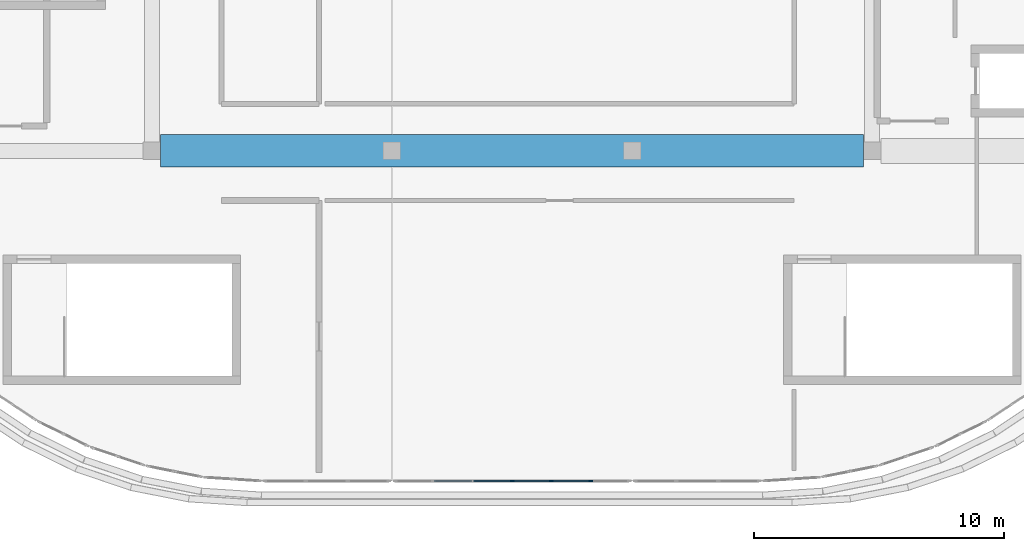
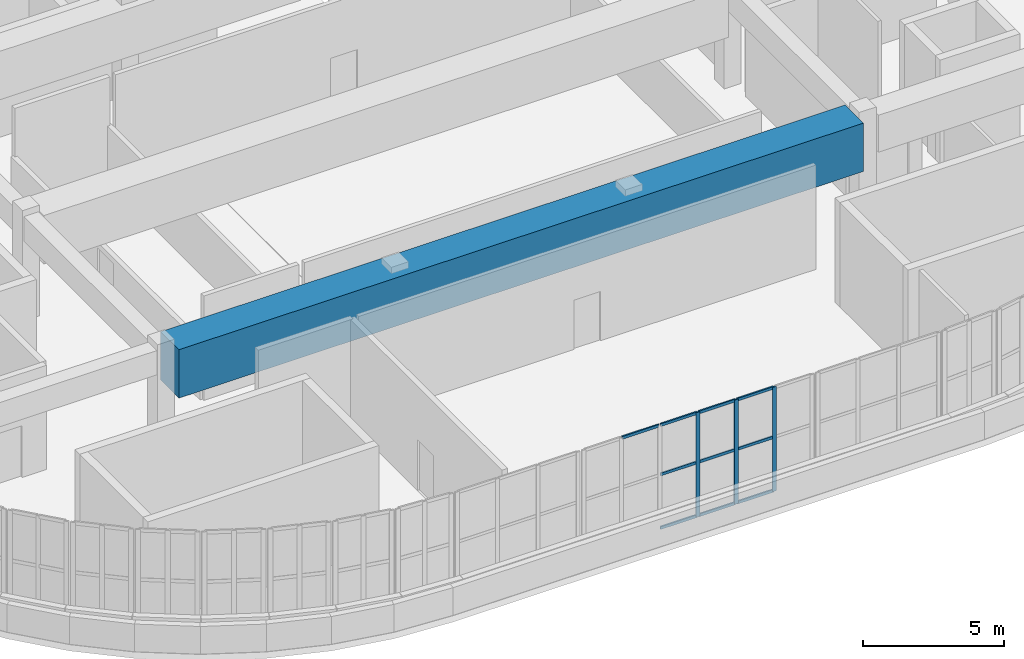
# One storey, part 4 of 23: 13 members, 1 beam, 1 element without a shape of its own.
"""IFC4 building model written with IfcOpenShell, lengths in metres."""

from ifc_helpers import new_model, si_unit, direction, frame, origin, origin_2d, place, context, subcontext, project, spatial, rectangle, extrude, material, layer, layer_set, material_profile, profile_set, type_object, element, aggregate, save


model = new_model("IFC4")

# Units and contexts
model_context = context("Model", 3, precision=1e-05, world=origin(), true_north=direction((0.0, 1.0)))
body_context = subcontext(model_context, "Body", "Model", "MODEL_VIEW")
ifc_project = project(units=[si_unit("LENGTHUNIT", "METRE"), si_unit("AREAUNIT", "SQUARE_METRE"), si_unit("VOLUMEUNIT", "CUBIC_METRE"), si_unit("PLANEANGLEUNIT", "RADIAN"), si_unit("MASSUNIT", "GRAM", prefix="KILO")], contexts=[model_context])

# Site, building, storey
site_placement = place(None, origin())
site = spatial("IfcSite", under=ifc_project, at=site_placement, CompositionType="ELEMENT")
building_placement = place(site_placement, origin())
building = spatial("IfcBuilding", under=site, at=building_placement, Name="Cendralis Terraced Arcade", CompositionType="ELEMENT")
storey_placement = place(building_placement, frame((0.0, 0.0, 29.39990234375)))
storey = spatial("IfcBuildingStorey", under=building, at=storey_placement, Name="L06", CompositionType="ELEMENT", Elevation=29.39990234375)

# Beam
ifc_material_1 = material(Name="Concrete f'c 42 MPa", Category="concrete")
ifc_material_profile_1 = material_profile(ifc_material_1, rectangle(XDim=1.300048828125, YDim=2.10009765625, at=origin_2d()), Name="RC-TG-1300x2100", Category="LoadBearing")
ifc_profile_set_1 = profile_set([ifc_material_profile_1], Name="Concrete f'c 42 MPa")
beam_type = type_object("IfcBeamType", Name="BM-TG-1300x2100", PredefinedType="USERDEFINED", material=ifc_profile_set_1)
beam_placement = place(storey_placement, frame((19.550048828125, 19.199951171875, 3.47509765625), z_axis=(1.0, 0.0, 0.0), x_axis=(0.0, 1.0, 0.0)))
element("IfcBeam", 1, at=beam_placement, inside=storey, type_object=beam_type, Name="Atrium Bridge Transfer Girder TG-ATR-RF-C", ObjectType="TRANSFER GIRDER", PredefinedType="USERDEFINED", context=body_context, shape_type="SweptSolid", body=[
    extrude(rectangle(XDim=1.300048828125, YDim=2.10009765625, at=origin_2d()), origin(), (0.0, 0.0, 1.0), 28.099853515625),
])

# Curtain wall, members
ifc_material_2 = material(Name="Anodised aluminium EN AW-6063 T6", Category="aluminium")
ifc_layer = layer(ifc_material_2, 0.159912109375, Name="CW-UNIT-B")
ifc_layer_set = layer_set([ifc_layer], Name="Anodised aluminium EN AW-6063 T6")
curtain_wall_type = type_object("IfcCurtainWallType", Name="CW-UNIT-B", PredefinedType="USERDEFINED", material=ifc_layer_set)
curtain_wall_placement = place(storey_placement, origin())
curtain_wall = element("IfcCurtainWall", 2, at=curtain_wall_placement, inside=storey, type_object=curtain_wall_type, Name="Exterior Unitised Facade CW-L06-0483", ObjectType="UNITISED FACADE", PredefinedType="USERDEFINED")
ifc_material_profile_2 = material_profile(ifc_material_2, rectangle(XDim=0.06494140625, YDim=0.159912109375, at=origin_2d()), Name="ALU-MUL-65x160")
ifc_profile_set_2 = profile_set([ifc_material_profile_2], Name="Anodised aluminium EN AW-6063 T6")
member_type_1 = type_object("IfcMemberType", Name="CW-UNIT-B-MUL", PredefinedType="MULLION", material=ifc_profile_set_2)
member_1_placement = place(storey_placement, frame((36.739990234375, 6.0, 0.0), z_axis=(0.0, 0.0, 1.0), x_axis=(0.0, -1.0, 0.0)))
member_1 = element("IfcMember", 3, at=member_1_placement, type_object=member_type_1, Name="CW-U2 mullion 2", PredefinedType="MULLION", context=body_context, shape_type="SweptSolid", body=[
    extrude(rectangle(XDim=0.06494140625, YDim=0.159912109375, at=origin_2d()), origin(), (0.0, 0.0, 1.0), 4.525146484375),
])
member_2_placement = place(storey_placement, frame((35.169921875, 6.0, 0.0), z_axis=(0.0, 0.0, 1.0), x_axis=(0.0, -1.0, 0.0)))
member_2 = element("IfcMember", 4, at=member_2_placement, type_object=member_type_1, Name="CW-U2 mullion 3", PredefinedType="MULLION", context=body_context, shape_type="SweptSolid", body=[
    extrude(rectangle(XDim=0.06494140625, YDim=0.159912109375, at=origin_2d()), origin(), (0.0, 0.0, 1.0), 4.525146484375),
])
member_3_placement = place(storey_placement, frame((33.60009765625, 6.0, 0.0), z_axis=(0.0, 0.0, 1.0), x_axis=(0.0, -1.0, 0.0)))
member_3 = element("IfcMember", 5, at=member_3_placement, type_object=member_type_1, Name="CW-U2 mullion 4", PredefinedType="MULLION", context=body_context, shape_type="SweptSolid", body=[
    extrude(rectangle(XDim=0.06494140625, YDim=0.159912109375, at=origin_2d()), origin(), (0.0, 0.0, 1.0), 4.525146484375),
])
ifc_material_profile_3 = material_profile(ifc_material_2, rectangle(XDim=0.06005859375, YDim=0.1201171875, at=origin_2d()), Name="ALU-TRN-60x120")
ifc_profile_set_3 = profile_set([ifc_material_profile_3], Name="Anodised aluminium EN AW-6063 T6")
member_type_2 = type_object("IfcMemberType", Name="CW-UNIT-B-TRN", PredefinedType="USERDEFINED", material=ifc_profile_set_3)
member_4_placement = place(storey_placement, frame((36.70751953125, 6.0, 0.030029296875), z_axis=(-1.0, 0.0, 0.0), x_axis=(0.0, -1.0, 0.0)))
member_4 = element("IfcMember", 6, at=member_4_placement, type_object=member_type_2, Name="CW-U2 transom 2.1", ObjectType="TRANSOM", PredefinedType="USERDEFINED", context=body_context, shape_type="SweptSolid", body=[
    extrude(rectangle(XDim=0.06005859375, YDim=0.1201171875, at=origin_2d()), origin(), (0.0, 0.0, 1.0), 1.505126953125),
])
member_5_placement = place(storey_placement, frame((36.70751953125, 6.0, 2.35302734375), z_axis=(-1.0, 0.0, 0.0), x_axis=(0.0, -1.0, 0.0)))
member_5 = element("IfcMember", 7, at=member_5_placement, type_object=member_type_2, Name="CW-U2 transom 2.2", ObjectType="TRANSOM", PredefinedType="USERDEFINED", context=body_context, shape_type="SweptSolid", body=[
    extrude(rectangle(XDim=0.06005859375, YDim=0.1201171875, at=origin_2d()), origin(), (0.0, 0.0, 1.0), 1.505126953125),
])
member_6_placement = place(storey_placement, frame((36.70751953125, 6.0, 4.4951171875), z_axis=(-1.0, 0.0, 0.0), x_axis=(0.0, -1.0, 0.0)))
member_6 = element("IfcMember", 8, at=member_6_placement, type_object=member_type_2, Name="CW-U2 transom 2.3", ObjectType="TRANSOM", PredefinedType="USERDEFINED", context=body_context, shape_type="SweptSolid", body=[
    extrude(rectangle(XDim=0.06005859375, YDim=0.1201171875, at=origin_2d()), origin(), (0.0, 0.0, 1.0), 1.505126953125),
])
member_7_placement = place(storey_placement, frame((35.137451171875, 6.0, 0.030029296875), z_axis=(-1.0, 0.0, 0.0), x_axis=(0.0, -1.0, 0.0)))
member_7 = element("IfcMember", 9, at=member_7_placement, type_object=member_type_2, Name="CW-U2 transom 3.1", ObjectType="TRANSOM", PredefinedType="USERDEFINED", context=body_context, shape_type="SweptSolid", body=[
    extrude(rectangle(XDim=0.06005859375, YDim=0.1201171875, at=origin_2d()), origin(), (0.0, 0.0, 1.0), 1.5048828125),
])
member_8_placement = place(storey_placement, frame((35.137451171875, 6.0, 2.35302734375), z_axis=(-1.0, 0.0, 0.0), x_axis=(0.0, -1.0, 0.0)))
member_8 = element("IfcMember", 10, at=member_8_placement, type_object=member_type_2, Name="CW-U2 transom 3.2", ObjectType="TRANSOM", PredefinedType="USERDEFINED", context=body_context, shape_type="SweptSolid", body=[
    extrude(rectangle(XDim=0.06005859375, YDim=0.1201171875, at=origin_2d()), origin(), (0.0, 0.0, 1.0), 1.5048828125),
])
member_9_placement = place(storey_placement, frame((35.137451171875, 6.0, 4.4951171875), z_axis=(-1.0, 0.0, 0.0), x_axis=(0.0, -1.0, 0.0)))
member_9 = element("IfcMember", 11, at=member_9_placement, type_object=member_type_2, Name="CW-U2 transom 3.3", ObjectType="TRANSOM", PredefinedType="USERDEFINED", context=body_context, shape_type="SweptSolid", body=[
    extrude(rectangle(XDim=0.06005859375, YDim=0.1201171875, at=origin_2d()), origin(), (0.0, 0.0, 1.0), 1.5048828125),
])
member_10_placement = place(storey_placement, frame((33.5673828125, 6.0, 0.030029296875), z_axis=(-1.0, 0.0, 0.0), x_axis=(0.0, -1.0, 0.0)))
member_10 = element("IfcMember", 12, at=member_10_placement, type_object=member_type_2, Name="CW-U2 transom 4.1", ObjectType="TRANSOM", PredefinedType="USERDEFINED", context=body_context, shape_type="SweptSolid", body=[
    extrude(rectangle(XDim=0.06005859375, YDim=0.1201171875, at=origin_2d()), origin(), (0.0, 0.0, 1.0), 1.5048828125),
])
member_11_placement = place(storey_placement, frame((33.5673828125, 6.0, 2.35302734375), z_axis=(-1.0, 0.0, 0.0), x_axis=(0.0, -1.0, 0.0)))
member_11 = element("IfcMember", 13, at=member_11_placement, type_object=member_type_2, Name="CW-U2 transom 4.2", ObjectType="TRANSOM", PredefinedType="USERDEFINED", context=body_context, shape_type="SweptSolid", body=[
    extrude(rectangle(XDim=0.06005859375, YDim=0.1201171875, at=origin_2d()), origin(), (0.0, 0.0, 1.0), 1.5048828125),
])
member_12_placement = place(storey_placement, frame((33.5673828125, 6.0, 4.4951171875), z_axis=(-1.0, 0.0, 0.0), x_axis=(0.0, -1.0, 0.0)))
member_12 = element("IfcMember", 14, at=member_12_placement, type_object=member_type_2, Name="CW-U2 transom 4.3", ObjectType="TRANSOM", PredefinedType="USERDEFINED", context=body_context, shape_type="SweptSolid", body=[
    extrude(rectangle(XDim=0.06005859375, YDim=0.1201171875, at=origin_2d()), origin(), (0.0, 0.0, 1.0), 1.5048828125),
])
member_13_placement = place(storey_placement, frame((31.99755859375, 6.0, 4.4951171875), z_axis=(-1.0, 0.0, 0.0), x_axis=(0.0, -1.0, 0.0)))
member_13 = element("IfcMember", 15, at=member_13_placement, type_object=member_type_2, Name="CW-U2 transom 5.3", ObjectType="TRANSOM", PredefinedType="USERDEFINED", context=body_context, shape_type="SweptSolid", body=[
    extrude(rectangle(XDim=0.06005859375, YDim=0.1201171875, at=origin_2d()), origin(), (0.0, 0.0, 1.0), 1.505126953125),
])
aggregate(curtain_wall, [member_1, member_2, member_3, member_4, member_5, member_6, member_7, member_8, member_9, member_10, member_11, member_12, member_13])

save(model, "model.ifc")
